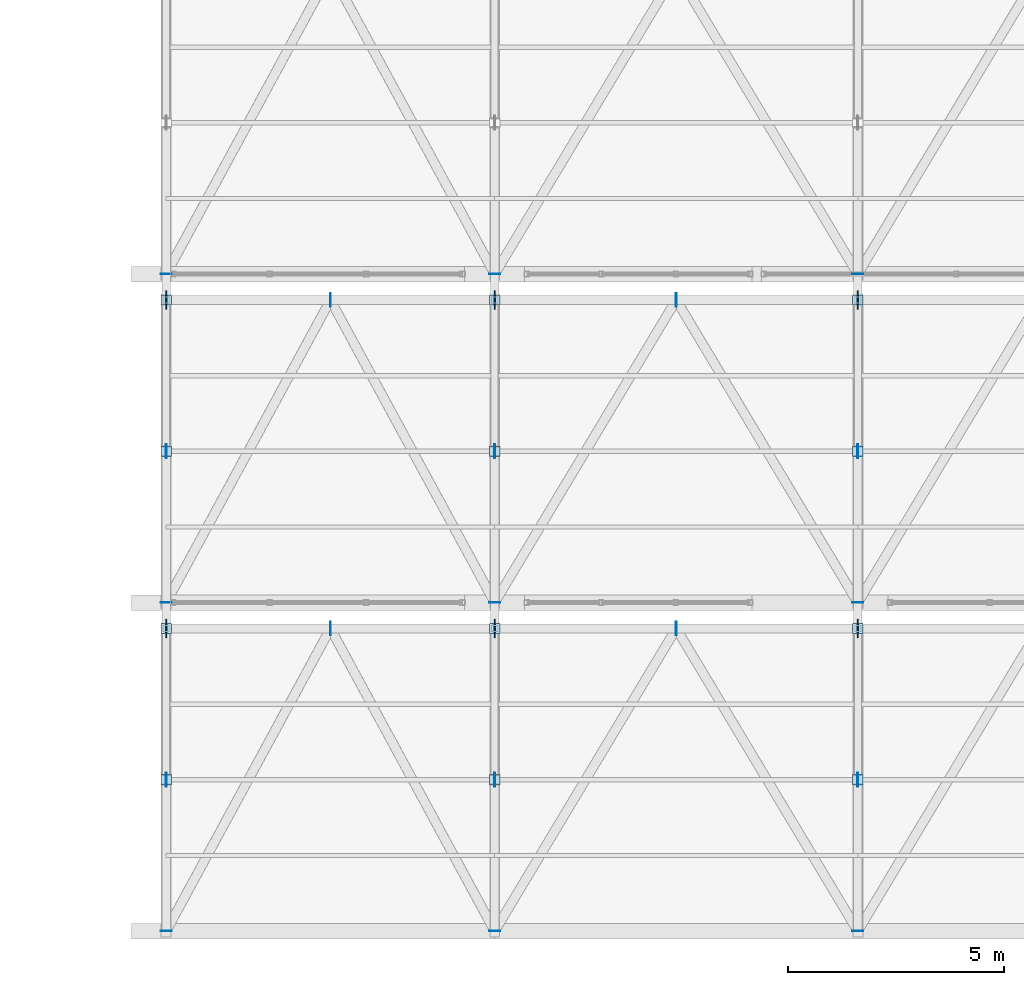
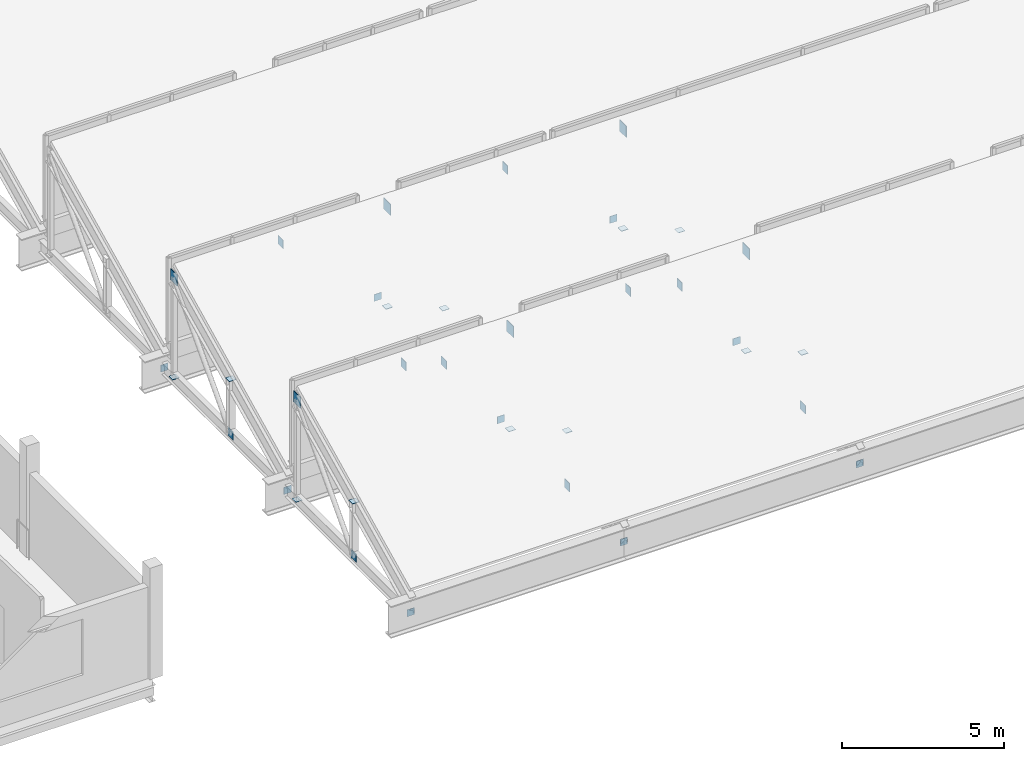
# One storey, part 42 of 57: 37 plates.
"""IFC4 building model written with IfcOpenShell, lengths in metres."""

from ifc_helpers import new_model, si_unit, direction, frame, origin, origin_2d, place, context, subcontext, project, spatial, rectangle, extrude, material, layer, layer_set, type_object, element, save


model = new_model("IFC4")

# Units and contexts
model_context = context("Model", 3, precision=1e-05, world=origin(), true_north=direction((0.0, 1.0)))
body_context = subcontext(model_context, "Body", "Model", "MODEL_VIEW")
ifc_project = project(units=[si_unit("LENGTHUNIT", "METRE"), si_unit("AREAUNIT", "SQUARE_METRE"), si_unit("VOLUMEUNIT", "CUBIC_METRE"), si_unit("PLANEANGLEUNIT", "RADIAN"), si_unit("MASSUNIT", "GRAM", prefix="KILO")], contexts=[model_context])

# Site, building, storey
site_placement = place(None, origin())
site = spatial("IfcSite", under=ifc_project, at=site_placement, CompositionType="ELEMENT")
building_placement = place(site_placement, origin())
building = spatial("IfcBuilding", under=site, at=building_placement, Name="Zuvorla Pavilion Media Centre", CompositionType="ELEMENT")
storey_placement = place(building_placement, frame((0.0, 0.0, 18.0)))
storey = spatial("IfcBuildingStorey", under=building, at=storey_placement, Name="L04", CompositionType="ELEMENT", Elevation=18.0)

# Plates
ifc_material = material(Name="Steel S355", Category="steel")
ifc_layer_1 = layer(ifc_material, 0.01611328125)
ifc_layer_set_1 = layer_set([ifc_layer_1], Name="Steel S355")
plate_type_1 = type_object("IfcPlateType", Name="PLT-CAP-16", PredefinedType="USERDEFINED", material=ifc_layer_set_1)
for number, where, z_axis, x_axis, name in (
    (1, (118.0, 6.0, -1.009765625), (0.0, 0.0, 1.0), (1.0, 0.0, 0.0), "L04 cap plate CP16 92"),
    (2, (125.60009765625, 6.0, -1.009765625), (0.0, 0.0, 1.0), (1.0, 0.0, 0.0), "L04 cap plate CP16 94"),
    (3, (134.0, 6.0, -1.009765625), (0.0, 0.0, 1.0), (1.0, 0.0, 0.0), "L04 cap plate CP16 96"),
    (4, (118.0, 13.60009765625, -1.009765625), (0.0, 0.0, 1.0), (1.0, 0.0, 0.0), "L04 cap plate CP16 104"),
    (5, (125.60009765625, 13.60009765625, -1.009765625), (0.0, 0.0, 1.0), (1.0, 0.0, 0.0), "L04 cap plate CP16 106"),
    (6, (134.0, 13.60009765625, -1.009765625), (0.0, 0.0, 1.0), (1.0, 0.0, 0.0), "L04 cap plate CP16 108"),
    (7, (118.0, 21.199951171875, -1.009765625), (0.0, 0.0, 1.0), (1.0, 0.0, 0.0), "L04 cap plate CP16 116"),
    (8, (125.60009765625, 21.199951171875, -1.009765625), (0.0, 0.0, 1.0), (1.0, 0.0, 0.0), "L04 cap plate CP16 118"),
    (9, (134.0, 21.199951171875, -1.009765625), (0.0, 0.0, 1.0), (1.0, 0.0, 0.0), "L04 cap plate CP16 120"),
):
    element("IfcPlate", number, at=place(storey_placement, frame(where, z_axis=z_axis, x_axis=x_axis)), inside=storey, type_object=plate_type_1, Name=name, ObjectType="CAP_PLATE", PredefinedType="USERDEFINED", context=body_context, shape_type="SweptSolid", body=[
        extrude(rectangle(XDim=0.260009765625, YDim=0.01611328125, at=origin_2d()), origin(), (0.0, 0.0, 1.0), 0.260009765625),
    ])
for number, where, z_axis, x_axis, name in (
    (10, (118.0, 13.0, -0.887939453125), (0.0, 0.0, 1.0), (1.0, 0.0, 0.0), "L04 cap plate CP16 392"),
    (11, (118.0, 9.5, 1.171875), (0.0, 0.0, 1.0), (1.0, 0.0, 0.0), "L04 cap plate CP16 394"),
    (12, (125.60009765625, 13.0, -0.887939453125), (0.0, 0.0, 1.0), (1.0, 0.0, 0.0), "L04 cap plate CP16 395"),
    (13, (125.60009765625, 9.5, 1.171875), (0.0, 0.0, 1.0), (1.0, 0.0, 0.0), "L04 cap plate CP16 397"),
    (14, (134.0, 13.0, -0.887939453125), (0.0, 0.0, 1.0), (1.0, 0.0, 0.0), "L04 cap plate CP16 398"),
    (15, (134.0, 9.5, 1.171875), (0.0, 0.0, 1.0), (1.0, 0.0, 0.0), "L04 cap plate CP16 400"),
    (16, (118.0, 20.60009765625, -0.887939453125), (0.0, 0.0, 1.0), (1.0, 0.0, 0.0), "L04 cap plate CP16 415"),
    (17, (118.0, 17.10009765625, 1.171875), (0.0, 0.0, 1.0), (1.0, 0.0, 0.0), "L04 cap plate CP16 417"),
    (18, (125.60009765625, 20.60009765625, -0.887939453125), (0.0, 0.0, 1.0), (1.0, 0.0, 0.0), "L04 cap plate CP16 418"),
    (19, (125.60009765625, 17.10009765625, 1.171875), (0.0, 0.0, 1.0), (1.0, 0.0, 0.0), "L04 cap plate CP16 420"),
    (20, (134.0, 20.60009765625, -0.887939453125), (0.0, 0.0, 1.0), (1.0, 0.0, 0.0), "L04 cap plate CP16 421"),
    (21, (134.0, 17.10009765625, 1.171875), (0.0, 0.0, 1.0), (1.0, 0.0, 0.0), "L04 cap plate CP16 423"),
):
    element("IfcPlate", number, at=place(storey_placement, frame(where, z_axis=z_axis, x_axis=x_axis)), inside=storey, type_object=plate_type_1, Name=name, ObjectType="CAP_PLATE", PredefinedType="USERDEFINED", context=body_context, shape_type="SweptSolid", body=[
        extrude(rectangle(XDim=0.239990234375, YDim=0.239990234375, at=origin_2d()), origin(), (0.0, 0.0, 1.0), 0.01611328125),
    ])
ifc_layer_2 = layer(ifc_material, 0.02001953125)
ifc_layer_set_2 = layer_set([ifc_layer_2], Name="Steel S355")
plate_type_2 = type_object("IfcPlateType", Name="PLT-GUS-20", PredefinedType="USERDEFINED", material=ifc_layer_set_2)
for number, where, z_axis, x_axis, name in (
    (22, (118.0, 9.5, -1.0400390625), (0.0, 0.0, 1.0), (1.0, 0.0, 0.0), "L04 gusset plate GP20 393"),
    (23, (125.60009765625, 9.5, -1.0400390625), (0.0, 0.0, 1.0), (1.0, 0.0, 0.0), "L04 gusset plate GP20 396"),
    (24, (134.0, 9.5, -1.0400390625), (0.0, 0.0, 1.0), (1.0, 0.0, 0.0), "L04 gusset plate GP20 399"),
    (25, (121.800048828125, 13.0, 2.7197265625), (0.0, 0.0, 1.0), (1.0, 0.0, 0.0), "L04 gusset plate GP20 410"),
    (26, (129.800048828125, 13.0, 2.7197265625), (0.0, 0.0, 1.0), (1.0, 0.0, 0.0), "L04 gusset plate GP20 411"),
    (27, (118.0, 17.10009765625, -1.0400390625), (0.0, 0.0, 1.0), (1.0, 0.0, 0.0), "L04 gusset plate GP20 416"),
    (28, (125.60009765625, 17.10009765625, -1.0400390625), (0.0, 0.0, 1.0), (1.0, 0.0, 0.0), "L04 gusset plate GP20 419"),
    (29, (134.0, 17.10009765625, -1.0400390625), (0.0, 0.0, 1.0), (1.0, 0.0, 0.0), "L04 gusset plate GP20 422"),
    (30, (121.800048828125, 20.60009765625, 2.7197265625), (0.0, 0.0, 1.0), (1.0, 0.0, 0.0), "L04 gusset plate GP20 433"),
    (31, (129.800048828125, 20.60009765625, 2.7197265625), (0.0, 0.0, 1.0), (1.0, 0.0, 0.0), "L04 gusset plate GP20 434"),
):
    element("IfcPlate", number, at=place(storey_placement, frame(where, z_axis=z_axis, x_axis=x_axis)), inside=storey, type_object=plate_type_2, Name=name, ObjectType="GUSSET_PLATE", PredefinedType="USERDEFINED", context=body_context, shape_type="SweptSolid", body=[
        extrude(rectangle(XDim=0.02001953125, YDim=0.320068359375, at=origin_2d()), origin(), (0.0, 0.0, 1.0), 0.320068359375),
    ])
ifc_layer_3 = layer(ifc_material, 0.02490234375)
ifc_layer_set_3 = layer_set([ifc_layer_3], Name="Steel S355")
plate_type_3 = type_object("IfcPlateType", Name="PLT-GUS-25", PredefinedType="USERDEFINED", material=ifc_layer_set_3)
for number, where, z_axis, x_axis, name in (
    (32, (118.0, 13.0, 2.672119140625), (0.0, 0.0, 1.0), (1.0, 0.0, 0.0), "L04 gusset plate GP25 91"),
    (33, (125.60009765625, 13.0, 2.672119140625), (0.0, 0.0, 1.0), (1.0, 0.0, 0.0), "L04 gusset plate GP25 93"),
    (34, (134.0, 13.0, 2.672119140625), (0.0, 0.0, 1.0), (1.0, 0.0, 0.0), "L04 gusset plate GP25 95"),
    (35, (118.0, 20.60009765625, 2.672119140625), (0.0, 0.0, 1.0), (1.0, 0.0, 0.0), "L04 gusset plate GP25 103"),
    (36, (125.60009765625, 20.60009765625, 2.672119140625), (0.0, 0.0, 1.0), (1.0, 0.0, 0.0), "L04 gusset plate GP25 105"),
    (37, (134.0, 20.60009765625, 2.672119140625), (0.0, 0.0, 1.0), (1.0, 0.0, 0.0), "L04 gusset plate GP25 107"),
):
    element("IfcPlate", number, at=place(storey_placement, frame(where, z_axis=z_axis, x_axis=x_axis)), inside=storey, type_object=plate_type_3, Name=name, ObjectType="GUSSET_PLATE", PredefinedType="USERDEFINED", context=body_context, shape_type="SweptSolid", body=[
        extrude(rectangle(XDim=0.02490234375, YDim=0.419921875, at=origin_2d()), origin(), (0.0, 0.0, 1.0), 0.419921875),
    ])

save(model, "model.ifc")
